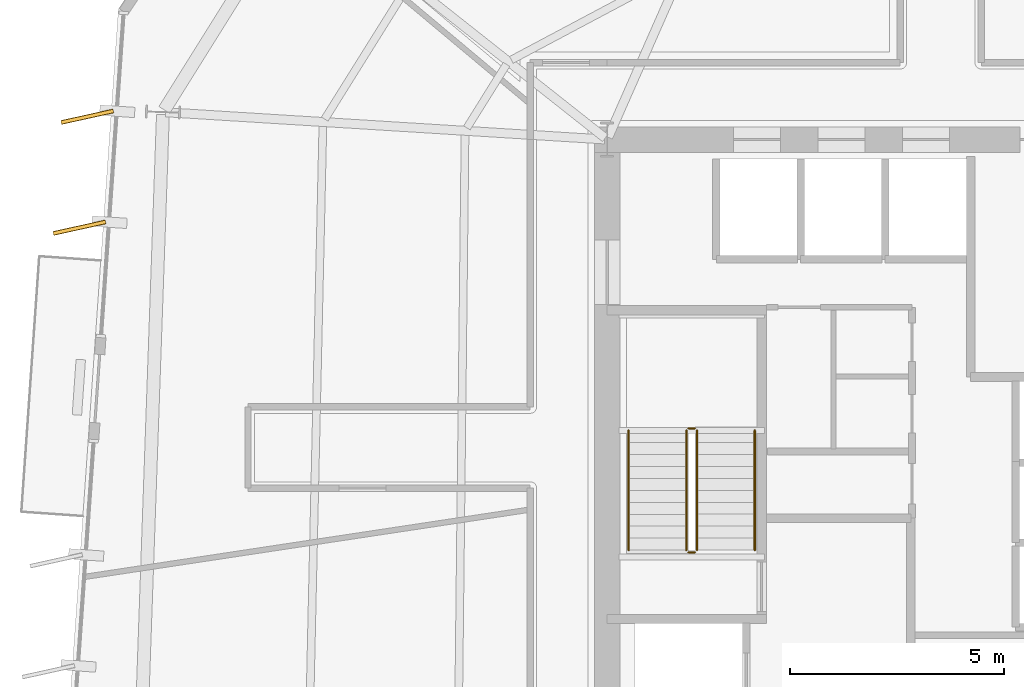
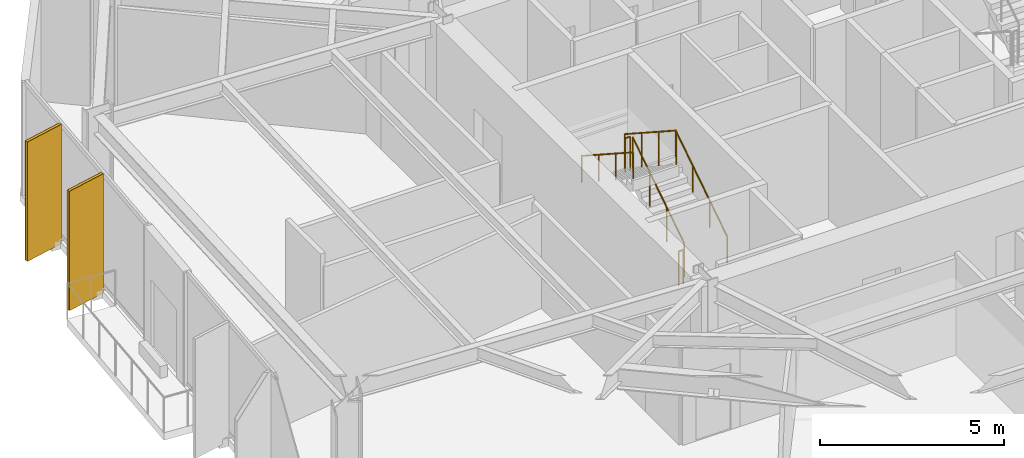
# One storey, part 11 of 14: 6 railings, 2 coverings, 2 shading devices.
"""IFC4 building model written with IfcOpenShell, lengths in metres."""

from ifc_helpers import new_model, si_unit, direction, frame, origin, origin_2d, place, context, subcontext, project, spatial, rectangle, circle, extrude, material, layer, layer_set, type_object, element, save


model = new_model("IFC4")

# Units and contexts
model_context = context("Model", 3, precision=1e-05, world=origin(), true_north=direction((0.0, 1.0)))
body_context = subcontext(model_context, "Body", "Model", "MODEL_VIEW")
ifc_project = project(units=[si_unit("LENGTHUNIT", "METRE"), si_unit("AREAUNIT", "SQUARE_METRE"), si_unit("VOLUMEUNIT", "CUBIC_METRE"), si_unit("PLANEANGLEUNIT", "RADIAN"), si_unit("MASSUNIT", "GRAM", prefix="KILO")], contexts=[model_context])

# Site, building, storey
site_placement = place(None, origin())
site = spatial("IfcSite", under=ifc_project, at=site_placement, CompositionType="ELEMENT")
building_placement = place(site_placement, origin())
building = spatial("IfcBuilding", under=site, at=building_placement, Name="Kranzbogen Civic Tower", CompositionType="ELEMENT")
storey_placement = place(building_placement, frame((0.0, 0.0, 126.39990234375)))
storey = spatial("IfcBuildingStorey", under=building, at=storey_placement, Name="L30", CompositionType="ELEMENT", Elevation=126.39990234375)

# Coverings
ifc_material_1 = material(Name="Pale Anodised Aluminium", Category="aluminium")
ifc_layer = layer(ifc_material_1, 0.02490234375, Name="Pale Anodised Aluminium")
ifc_layer_set = layer_set([ifc_layer], Name="Pale Anodised Aluminium")
covering_type = type_object("IfcCoveringType", Name="Anodised Aluminium Vertical Fin Cladding 25 mm", PredefinedType="CLADDING", material=ifc_layer_set)
for number, where, z_axis, x_axis, name in (
    (1, (5.0419921875, 32.735107421875, -0.139892578125), (0.0, 0.0, 1.0), (-0.976529645679, -0.215383033477, 0.0), "L30 vertical fin pale-metal cladding F3-1"),
    (2, (4.860107421875, 30.14111328125, -0.139892578125), (0.0, 0.0, 1.0), (-0.976529645679, -0.215383033477, 0.0), "L30 vertical fin pale-metal cladding F3-2"),
):
    element("IfcCovering", number, at=place(storey_placement, frame(where, z_axis=z_axis, x_axis=x_axis)), inside=storey, type_object=covering_type, Name=name, PredefinedType="CLADDING", context=body_context, shape_type="SweptSolid", body=[
        extrude(rectangle(XDim=1.25, YDim=0.10009765625, at=origin_2d()), origin(), (0.0, 0.0, 1.0), 3.9599609375),
    ])

# Shading devices
ifc_material_2 = material(Name="Anodised Bronze Aluminium", Category="aluminium")
shading_device_type = type_object("IfcShadingDeviceType", Name="Anodised Bronze Vertical Facade Fin 1250x80", PredefinedType="USERDEFINED", material=ifc_material_2)
for number, where, z_axis, x_axis, name in (
    (3, (5.0419921875, 32.735107421875, -0.139892578125), (0.0, 0.0, 1.0), (-0.976529645679, -0.215383033477, 0.0), "L30 vertical exterior shading fin F3-1"),
    (4, (4.860107421875, 30.14111328125, -0.139892578125), (0.0, 0.0, 1.0), (-0.976529645679, -0.215383033477, 0.0), "L30 vertical exterior shading fin F3-2"),
):
    element("IfcShadingDevice", number, at=place(storey_placement, frame(where, z_axis=z_axis, x_axis=x_axis)), inside=storey, type_object=shading_device_type, Name=name, ObjectType="FIN", PredefinedType="USERDEFINED", context=body_context, shape_type="SweptSolid", body=[
        extrude(rectangle(XDim=1.25, YDim=0.080078125, at=origin_2d()), origin(), (0.0, 0.0, 1.0), 3.9599609375),
    ])

# Railings
ifc_material_3 = material(Name="Steel S355", Category="steel")
railing_type_1 = type_object("IfcRailingType", Name="Internal Stair and Void Steel Guardrail 1150", PredefinedType="GUARDRAIL", material=ifc_material_3)
railing_1_placement = place(storey_placement, frame((19.300048828125, 22.60009765625, 0.181884765625)))
element("IfcRailing", 5, at=railing_1_placement, inside=storey, type_object=railing_type_1, Name="L30 ST-T1 stair guard 1", PredefinedType="GUARDRAIL", context=body_context, shape_type="SweptSolid", body=[
    extrude(circle(Radius=0.02392578125, at=origin_2d()), frame((0.0, 0.0, 1.1259765625), z_axis=(0.0, 0.83868413941, 0.544618136222), x_axis=(-1.0, 0.0, 0.0)), (0.0, 0.0, 1.0), 3.33837890625),
    extrude(circle(Radius=0.02099609375, at=origin_2d()), origin(), (0.0, 0.0, 1.0), 1.101806640625),
    extrude(circle(Radius=0.02099609375, at=origin_2d()), frame((0.0, 0.933349609375, 0.60595703125)), (0.0, 0.0, 1.0), 1.101806640625),
    extrude(circle(Radius=0.02099609375, at=origin_2d()), frame((0.0, 1.866455078125, 1.212158203125)), (0.0, 0.0, 1.0), 1.101806640625),
    extrude(circle(Radius=0.02099609375, at=origin_2d()), frame((0.0, 2.7998046875, 1.818115234375)), (0.0, 0.0, 1.0), 1.101806640625),
])
railing_2_placement = place(storey_placement, frame((19.25, 25.449951171875, 2.0)))
element("IfcRailing", 6, at=railing_2_placement, inside=storey, type_object=railing_type_1, Name="L30 ST-T1 stair guard 2", PredefinedType="GUARDRAIL", context=body_context, shape_type="SweptSolid", body=[
    extrude(circle(Radius=0.02392578125, at=origin_2d()), frame((0.0, 0.0, 1.1259765625), z_axis=(-1.0, 0.0, 0.0), x_axis=(0.0, -1.0, 0.0)), (0.0, 0.0, 1.0), 0.14990234375),
    extrude(circle(Radius=0.02099609375, at=origin_2d()), origin(), (0.0, 0.0, 1.0), 1.101806640625),
    extrude(circle(Radius=0.02099609375, at=origin_2d()), frame((-0.14990234375, 0.0, 0.0)), (0.0, 0.0, 1.0), 1.101806640625),
])
railing_3_placement = place(storey_placement, frame((19.050048828125, 25.39990234375, 2.181884765625)))
element("IfcRailing", 7, at=railing_3_placement, inside=storey, type_object=railing_type_1, Name="L30 ST-T1 stair guard 3", PredefinedType="GUARDRAIL", context=body_context, shape_type="SweptSolid", body=[
    extrude(circle(Radius=0.02392578125, at=origin_2d()), frame((0.0, 0.0, 1.1259765625), z_axis=(0.0, -0.83868413941, 0.544618136222), x_axis=(1.0, 0.0, 0.0)), (0.0, 0.0, 1.0), 3.33837890625),
    extrude(circle(Radius=0.02099609375, at=origin_2d()), origin(), (0.0, 0.0, 1.0), 1.101806640625),
    extrude(circle(Radius=0.02099609375, at=origin_2d()), frame((0.0, -0.933349609375, 0.60595703125)), (0.0, 0.0, 1.0), 1.101806640625),
    extrude(circle(Radius=0.02099609375, at=origin_2d()), frame((0.0, -1.866455078125, 1.212158203125)), (0.0, 0.0, 1.0), 1.101806640625),
    extrude(circle(Radius=0.02099609375, at=origin_2d()), frame((0.0, -2.7998046875, 1.818115234375)), (0.0, 0.0, 1.0), 1.101806640625),
])
railing_4_placement = place(storey_placement, frame((19.25, 22.550048828125, 0.0)))
element("IfcRailing", 8, at=railing_4_placement, inside=storey, type_object=railing_type_1, Name="L30 ST-T1 stair guard 4", PredefinedType="GUARDRAIL", context=body_context, shape_type="SweptSolid", body=[
    extrude(circle(Radius=0.02392578125, at=origin_2d()), frame((0.0, 0.0, 1.1259765625), z_axis=(-1.0, 0.0, 0.0), x_axis=(0.0, -1.0, 0.0)), (0.0, 0.0, 1.0), 0.14990234375),
    extrude(circle(Radius=0.02099609375, at=origin_2d()), origin(), (0.0, 0.0, 1.0), 1.101806640625),
    extrude(circle(Radius=0.02099609375, at=origin_2d()), frame((-0.14990234375, 0.0, 0.0)), (0.0, 0.0, 1.0), 1.101806640625),
])
railing_type_2 = type_object("IfcRailingType", Name="Tubular Stainless Stair Wall Handrail 900", PredefinedType="HANDRAIL", material=ifc_material_1)
railing_5_placement = place(storey_placement, frame((20.64990234375, 22.60009765625, 0.181884765625)))
element("IfcRailing", 9, at=railing_5_placement, inside=storey, type_object=railing_type_2, Name="L30 ST-T1 stair handrail 1", PredefinedType="HANDRAIL", context=body_context, shape_type="SweptSolid", body=[
    extrude(circle(Radius=0.02392578125, at=origin_2d()), frame((0.0, 0.0, 0.8759765625), z_axis=(0.0, 0.83868413941, 0.544618136222), x_axis=(-1.0, 0.0, 0.0)), (0.0, 0.0, 1.0), 3.33837890625),
    extrude(circle(Radius=0.02099609375, at=origin_2d()), origin(), (0.0, 0.0, 1.0), 0.851806640625),
    extrude(circle(Radius=0.02099609375, at=origin_2d()), frame((0.0, 0.933349609375, 0.60595703125)), (0.0, 0.0, 1.0), 0.851806640625),
    extrude(circle(Radius=0.02099609375, at=origin_2d()), frame((0.0, 1.866455078125, 1.212158203125)), (0.0, 0.0, 1.0), 0.851806640625),
    extrude(circle(Radius=0.02099609375, at=origin_2d()), frame((0.0, 2.7998046875, 1.818115234375)), (0.0, 0.0, 1.0), 0.851806640625),
])
railing_6_placement = place(storey_placement, frame((17.699951171875, 25.39990234375, 2.181884765625)))
element("IfcRailing", 10, at=railing_6_placement, inside=storey, type_object=railing_type_2, Name="L30 ST-T1 stair handrail 2", PredefinedType="HANDRAIL", context=body_context, shape_type="SweptSolid", body=[
    extrude(circle(Radius=0.02392578125, at=origin_2d()), frame((0.0, 0.0, 0.8759765625), z_axis=(0.0, -0.83868413941, 0.544618136222), x_axis=(1.0, 0.0, 0.0)), (0.0, 0.0, 1.0), 3.33837890625),
    extrude(circle(Radius=0.02099609375, at=origin_2d()), origin(), (0.0, 0.0, 1.0), 0.851806640625),
    extrude(circle(Radius=0.02099609375, at=origin_2d()), frame((0.0, -0.933349609375, 0.60595703125)), (0.0, 0.0, 1.0), 0.851806640625),
    extrude(circle(Radius=0.02099609375, at=origin_2d()), frame((0.0, -1.866455078125, 1.212158203125)), (0.0, 0.0, 1.0), 0.851806640625),
    extrude(circle(Radius=0.02099609375, at=origin_2d()), frame((0.0, -2.7998046875, 1.818115234375)), (0.0, 0.0, 1.0), 0.851806640625),
])

save(model, "model.ifc")
